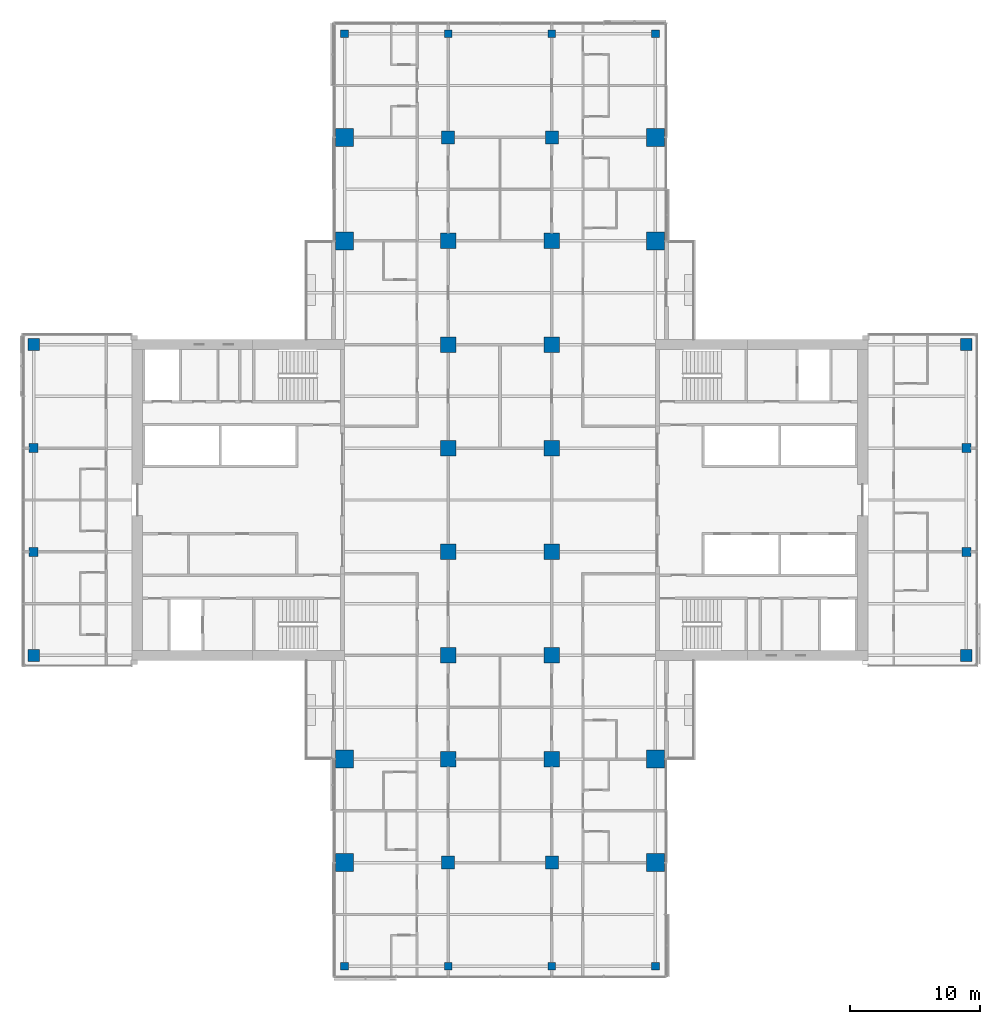
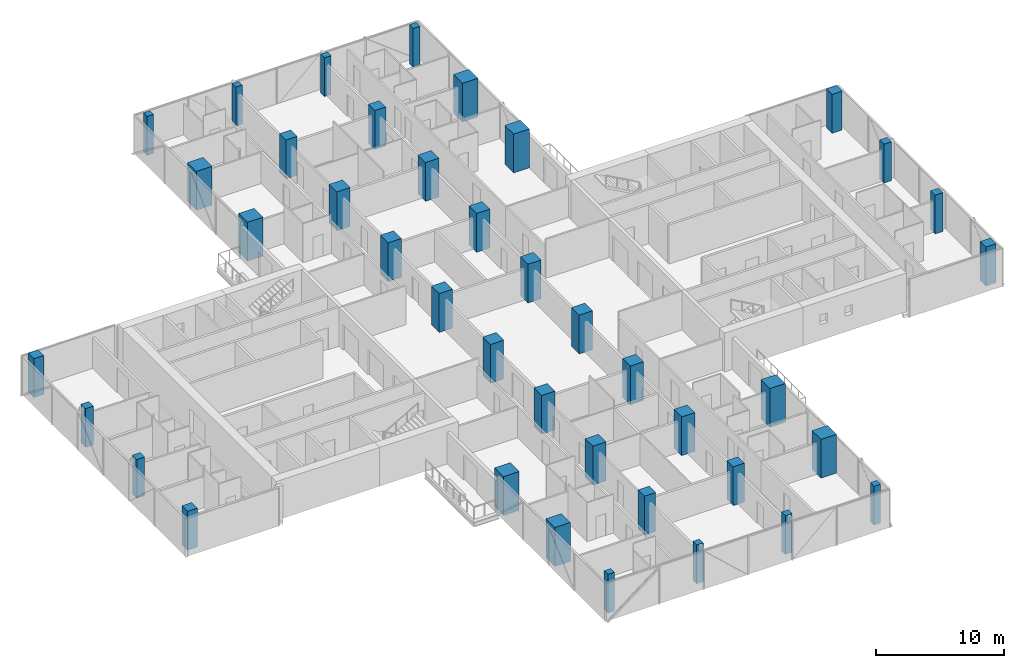
# One storey, part 1 of 27: 40 columns.
"""IFC4 building model written with IfcOpenShell, lengths in metres."""

from ifc_helpers import new_model, si_unit, direction, frame, origin, origin_2d, place, context, subcontext, project, spatial, rectangle, extrude, material, material_profile, profile_set, type_object, element, save


model = new_model("IFC4")

# Units and contexts
model_context = context("Model", 3, precision=1e-05, world=origin(), true_north=direction((0.0, 1.0)))
body_context = subcontext(model_context, "Body", "Model", "MODEL_VIEW")
ifc_project = project(units=[si_unit("LENGTHUNIT", "METRE"), si_unit("AREAUNIT", "SQUARE_METRE"), si_unit("VOLUMEUNIT", "CUBIC_METRE"), si_unit("PLANEANGLEUNIT", "RADIAN"), si_unit("MASSUNIT", "GRAM", prefix="KILO")], contexts=[model_context])

# Site, building, storey
site_placement = place(None, origin())
site = spatial("IfcSite", under=ifc_project, at=site_placement, CompositionType="ELEMENT")
building_placement = place(site_placement, origin())
building = spatial("IfcBuilding", under=site, at=building_placement, Name="Crosswind Convention Tower", CompositionType="ELEMENT")
storey_placement = place(building_placement, frame((0.0, 0.0, 75.699951171875)))
storey = spatial("IfcBuildingStorey", under=building, at=storey_placement, Name="L13", CompositionType="ELEMENT", Elevation=75.699951171875)

# Columns
ifc_material_1 = material(Name="Concrete C70/85", Category="concrete")
ifc_material_profile_1 = material_profile(ifc_material_1, rectangle(XDim=1.0, YDim=1.0, at=origin_2d()), Name="RC 1000X1000")
ifc_profile_set_1 = profile_set([ifc_material_profile_1], Name="Concrete C70/85")
column_type_1 = type_object("IfcColumnType", Name="Column RC 1000X1000", PredefinedType="COLUMN", material=ifc_profile_set_1)
for number, where, z_axis, x_axis, name in (
    (1, (121.0, 72.0, 0.0), (0.0, 0.0, 1.0), (1.0, 0.0, 0.0), "C12 L13 6/C"),
    (2, (121.0, 128.0, 0.0), (0.0, 0.0, 1.0), (1.0, 0.0, 0.0), "C12 L13 6/J"),
    (3, (129.0, 72.0, 0.0), (0.0, 0.0, 1.0), (1.0, 0.0, 0.0), "C12 L13 7/C"),
    (4, (129.0, 128.0, 0.0), (0.0, 0.0, 1.0), (1.0, 0.0, 0.0), "C12 L13 7/J"),
):
    element("IfcColumn", number, at=place(storey_placement, frame(where, z_axis=z_axis, x_axis=x_axis)), inside=storey, type_object=column_type_1, Name=name, PredefinedType="COLUMN", context=body_context, shape_type="SweptSolid", body=[
        extrude(rectangle(XDim=1.0, YDim=1.0, at=origin_2d()), origin(), (0.0, 0.0, 1.0), 3.699951171875),
    ])
ifc_material_profile_2 = material_profile(ifc_material_1, rectangle(XDim=1.199951171875, YDim=1.199951171875, at=origin_2d()), Name="RC 1200X1200")
ifc_profile_set_2 = profile_set([ifc_material_profile_2], Name="Concrete C70/85")
column_type_2 = type_object("IfcColumnType", Name="Column RC 1200X1200", PredefinedType="COLUMN", material=ifc_profile_set_2)
for number, where, z_axis, x_axis, name in (
    (5, (121.0, 80.0, 0.0), (0.0, 0.0, 1.0), (1.0, 0.0, 0.0), "C11 L13 6/D"),
    (6, (121.0, 88.0, 0.0), (0.0, 0.0, 1.0), (1.0, 0.0, 0.0), "C11 L13 6/E"),
    (7, (121.0, 96.0, 0.0), (0.0, 0.0, 1.0), (1.0, 0.0, 0.0), "C11 L13 6/F"),
    (8, (121.0, 104.0, 0.0), (0.0, 0.0, 1.0), (1.0, 0.0, 0.0), "C11 L13 6/G"),
    (9, (121.0, 112.0, 0.0), (0.0, 0.0, 1.0), (1.0, 0.0, 0.0), "C11 L13 6/H"),
    (10, (121.0, 120.0, 0.0), (0.0, 0.0, 1.0), (1.0, 0.0, 0.0), "C11 L13 6/I"),
    (11, (129.0, 80.0, 0.0), (0.0, 0.0, 1.0), (1.0, 0.0, 0.0), "C11 L13 7/D"),
    (12, (129.0, 88.0, 0.0), (0.0, 0.0, 1.0), (1.0, 0.0, 0.0), "C11 L13 7/E"),
    (13, (129.0, 96.0, 0.0), (0.0, 0.0, 1.0), (1.0, 0.0, 0.0), "C11 L13 7/F"),
    (14, (129.0, 104.0, 0.0), (0.0, 0.0, 1.0), (1.0, 0.0, 0.0), "C11 L13 7/G"),
    (15, (129.0, 112.0, 0.0), (0.0, 0.0, 1.0), (1.0, 0.0, 0.0), "C11 L13 7/H"),
    (16, (129.0, 120.0, 0.0), (0.0, 0.0, 1.0), (1.0, 0.0, 0.0), "C11 L13 7/I"),
):
    element("IfcColumn", number, at=place(storey_placement, frame(where, z_axis=z_axis, x_axis=x_axis)), inside=storey, type_object=column_type_2, Name=name, PredefinedType="COLUMN", context=body_context, shape_type="SweptSolid", body=[
        extrude(rectangle(XDim=1.199951171875, YDim=1.199951171875, at=origin_2d()), origin(), (0.0, 0.0, 1.0), 3.699951171875),
    ])
ifc_material_2 = material(Name="Concrete C80/95", Category="concrete")
ifc_material_profile_3 = material_profile(ifc_material_2, rectangle(XDim=1.39990234375, YDim=1.39990234375, at=origin_2d()), Name="RC 1400X1400")
ifc_profile_set_3 = profile_set([ifc_material_profile_3], Name="Concrete C80/95")
column_type_3 = type_object("IfcColumnType", Name="Column RC 1400X1400", PredefinedType="COLUMN", material=ifc_profile_set_3)
for number, where, z_axis, x_axis, name in (
    (17, (113.0, 72.0, 0.0), (0.0, 0.0, 1.0), (1.0, 0.0, 0.0), "C10 L13 5/C"),
    (18, (113.0, 80.0, 0.0), (0.0, 0.0, 1.0), (1.0, 0.0, 0.0), "C10 L13 5/D"),
    (19, (113.0, 120.0, 0.0), (0.0, 0.0, 1.0), (1.0, 0.0, 0.0), "C10 L13 5/I"),
    (20, (113.0, 128.0, 0.0), (0.0, 0.0, 1.0), (1.0, 0.0, 0.0), "C10 L13 5/J"),
    (21, (137.0, 72.0, 0.0), (0.0, 0.0, 1.0), (1.0, 0.0, 0.0), "C10 L13 8/C"),
    (22, (137.0, 80.0, 0.0), (0.0, 0.0, 1.0), (1.0, 0.0, 0.0), "C10 L13 8/D"),
    (23, (137.0, 120.0, 0.0), (0.0, 0.0, 1.0), (1.0, 0.0, 0.0), "C10 L13 8/I"),
    (24, (137.0, 128.0, 0.0), (0.0, 0.0, 1.0), (1.0, 0.0, 0.0), "C10 L13 8/J"),
):
    element("IfcColumn", number, at=place(storey_placement, frame(where, z_axis=z_axis, x_axis=x_axis)), inside=storey, type_object=column_type_3, Name=name, PredefinedType="COLUMN", context=body_context, shape_type="SweptSolid", body=[
        extrude(rectangle(XDim=1.39990234375, YDim=1.39990234375, at=origin_2d()), origin(), (0.0, 0.0, 1.0), 3.699951171875),
    ])
ifc_material_3 = material(Name="Concrete C60/75", Category="concrete")
ifc_material_profile_4 = material_profile(ifc_material_3, rectangle(XDim=0.60009765625, YDim=0.60009765625, at=origin_2d()), Name="RC 600X600")
ifc_profile_set_4 = profile_set([ifc_material_profile_4], Name="Concrete C60/75")
column_type_4 = type_object("IfcColumnType", Name="Column RC 600X600", PredefinedType="COLUMN", material=ifc_profile_set_4)
for number, where, z_axis, x_axis, name in (
    (25, (113.0, 64.0, 0.0), (0.0, 0.0, 1.0), (1.0, 0.0, 0.0), "C16 L13 5/B"),
    (26, (113.0, 136.0, 0.0), (0.0, 0.0, 1.0), (1.0, 0.0, 0.0), "C16 L13 5/K"),
    (27, (121.0, 64.0, 0.0), (0.0, 0.0, 1.0), (1.0, 0.0, 0.0), "C16 L13 6/B"),
    (28, (121.0, 136.0, 0.0), (0.0, 0.0, 1.0), (1.0, 0.0, 0.0), "C16 L13 6/K"),
    (29, (129.0, 64.0, 0.0), (0.0, 0.0, 1.0), (1.0, 0.0, 0.0), "C16 L13 7/B"),
    (30, (129.0, 136.0, 0.0), (0.0, 0.0, 1.0), (1.0, 0.0, 0.0), "C16 L13 7/K"),
    (31, (137.0, 64.0, 0.0), (0.0, 0.0, 1.0), (1.0, 0.0, 0.0), "C16 L13 8/B"),
    (32, (137.0, 136.0, 0.0), (0.0, 0.0, 1.0), (1.0, 0.0, 0.0), "C16 L13 8/K"),
):
    element("IfcColumn", number, at=place(storey_placement, frame(where, z_axis=z_axis, x_axis=x_axis)), inside=storey, type_object=column_type_4, Name=name, PredefinedType="COLUMN", context=body_context, shape_type="SweptSolid", body=[
        extrude(rectangle(XDim=0.60009765625, YDim=0.60009765625, at=origin_2d()), origin(), (0.0, 0.0, 1.0), 3.699951171875),
    ])
ifc_material_profile_5 = material_profile(ifc_material_3, rectangle(XDim=0.699951171875, YDim=0.699951171875, at=origin_2d()), Name="RC 700X700")
ifc_profile_set_5 = profile_set([ifc_material_profile_5], Name="Concrete C60/75")
column_type_5 = type_object("IfcColumnType", Name="Column RC 700X700", PredefinedType="COLUMN", material=ifc_profile_set_5)
for number, where, z_axis, x_axis, name in (
    (33, (89.0, 96.0, 0.0), (0.0, 0.0, 1.0), (1.0, 0.0, 0.0), "C15 L13 2/F"),
    (34, (89.0, 104.0, 0.0), (0.0, 0.0, 1.0), (1.0, 0.0, 0.0), "C15 L13 2/G"),
    (35, (161.0, 96.0, 0.0), (0.0, 0.0, 1.0), (1.0, 0.0, 0.0), "C15 L13 11/F"),
    (36, (161.0, 104.0, 0.0), (0.0, 0.0, 1.0), (1.0, 0.0, 0.0), "C15 L13 11/G"),
):
    element("IfcColumn", number, at=place(storey_placement, frame(where, z_axis=z_axis, x_axis=x_axis)), inside=storey, type_object=column_type_5, Name=name, PredefinedType="COLUMN", context=body_context, shape_type="SweptSolid", body=[
        extrude(rectangle(XDim=0.699951171875, YDim=0.699951171875, at=origin_2d()), origin(), (0.0, 0.0, 1.0), 3.699951171875),
    ])
ifc_material_profile_6 = material_profile(ifc_material_3, rectangle(XDim=0.89990234375, YDim=0.89990234375, at=origin_2d()), Name="RC 900X900")
ifc_profile_set_6 = profile_set([ifc_material_profile_6], Name="Concrete C60/75")
column_type_6 = type_object("IfcColumnType", Name="Column RC 900X900", PredefinedType="COLUMN", material=ifc_profile_set_6)
for number, where, z_axis, x_axis, name in (
    (37, (89.0, 88.0, 0.0), (0.0, 0.0, 1.0), (1.0, 0.0, 0.0), "C13 L13 2/E"),
    (38, (89.0, 112.0, 0.0), (0.0, 0.0, 1.0), (1.0, 0.0, 0.0), "C13 L13 2/H"),
    (39, (161.0, 88.0, 0.0), (0.0, 0.0, 1.0), (1.0, 0.0, 0.0), "C13 L13 11/E"),
    (40, (161.0, 112.0, 0.0), (0.0, 0.0, 1.0), (1.0, 0.0, 0.0), "C13 L13 11/H"),
):
    element("IfcColumn", number, at=place(storey_placement, frame(where, z_axis=z_axis, x_axis=x_axis)), inside=storey, type_object=column_type_6, Name=name, PredefinedType="COLUMN", context=body_context, shape_type="SweptSolid", body=[
        extrude(rectangle(XDim=0.89990234375, YDim=0.89990234375, at=origin_2d()), origin(), (0.0, 0.0, 1.0), 3.699951171875),
    ])

save(model, "model.ifc")
